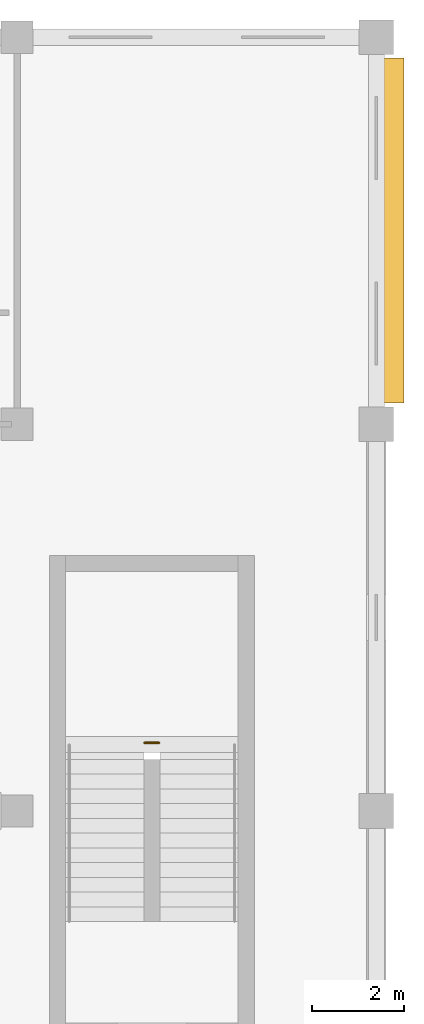
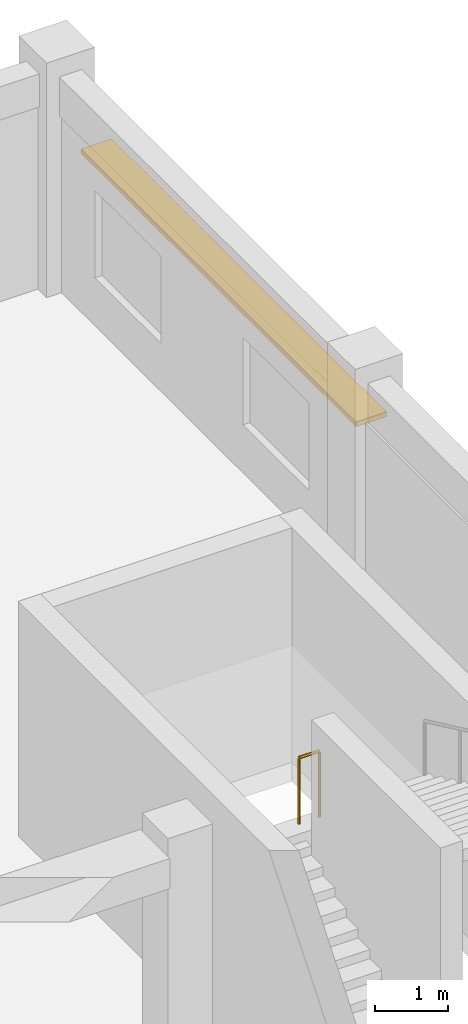
# One storey, part 72 of 72: 1 railing, 1 shading device.
"""IFC4 building model written with IfcOpenShell, lengths in metres."""

from ifc_helpers import new_model, si_unit, direction, frame, origin, origin_2d, place, context, subcontext, project, spatial, rectangle, circle, extrude, material, layer, layer_set, type_object, element, save


model = new_model("IFC4")

# Units and contexts
model_context = context("Model", 3, precision=1e-05, world=origin(), true_north=direction((0.0, 1.0)))
body_context = subcontext(model_context, "Body", "Model", "MODEL_VIEW")
ifc_project = project(units=[si_unit("LENGTHUNIT", "METRE"), si_unit("AREAUNIT", "SQUARE_METRE"), si_unit("VOLUMEUNIT", "CUBIC_METRE"), si_unit("PLANEANGLEUNIT", "RADIAN"), si_unit("MASSUNIT", "GRAM", prefix="KILO"), si_unit("THERMODYNAMICTEMPERATUREUNIT", "KELVIN"), si_unit("POWERUNIT", "WATT")], contexts=[model_context])

# Site, building, storey
site_placement = place(None, origin())
site = spatial("IfcSite", under=ifc_project, at=site_placement, CompositionType="ELEMENT")
building_placement = place(site_placement, origin())
building = spatial("IfcBuilding", under=site, at=building_placement, Name="Srebrne Nadtorze General Hospital", CompositionType="ELEMENT")
storey_placement = place(building_placement, frame((0.0, 0.0, 22.199951171875)))
storey = spatial("IfcBuildingStorey", under=building, at=storey_placement, Name="L05", CompositionType="ELEMENT", Elevation=22.199951171875)

# Shading device
ifc_material_1 = material(Name="Anodised Aluminium", Category="aluminium")
ifc_layer = layer(ifc_material_1, 0.080078125)
ifc_layer_set = layer_set([ifc_layer], Name="Anodised Aluminium")
shading_device_type = type_object("IfcShadingDeviceType", Name="Hisashi horizontal aluminium sunshade", PredefinedType="JALOUSIE", material=ifc_layer_set)
shading_device_placement = place(storey_placement, frame((148.56005859375, 88.199951171875, 2.27001953125), z_axis=(0.0, 0.0, 1.0), x_axis=(1.0, 0.0, 0.0)))
element("IfcShadingDevice", 1, at=shading_device_placement, inside=storey, type_object=shading_device_type, Name="Hisashi horizontal sunshade eave LV-352", PredefinedType="JALOUSIE", context=body_context, shape_type="SweptSolid", body=[
    extrude(rectangle(XDim=0.47998046875, YDim=7.489990234375, at=origin_2d()), origin(), (0.0, 0.0, 1.0), 0.080078125),
])

# Railing
ifc_material_2 = material(Name="Stainless Steel 316", Category="steel")
railing_type = type_object("IfcRailingType", Name="Stairwell safety guard 1120", PredefinedType="BALUSTRADE", material=ifc_material_2)
railing_placement = place(storey_placement, frame((143.1650390625, 77.080078125, 1.949951171875)))
element("IfcRailing", 2, at=railing_placement, inside=storey, type_object=railing_type, Name="Half landing well guard ST-04-L05", PredefinedType="BALUSTRADE", context=body_context, shape_type="SweptSolid", body=[
    extrude(circle(Radius=0.02392578125, at=origin_2d()), frame((0.0, 0.0, 1.09619140625), z_axis=(1.0, 0.0, 0.0), x_axis=(0.0, 1.0, 0.0)), (0.0, 0.0, 1.0), 0.320068359375),
    extrude(circle(Radius=0.02099609375, at=origin_2d()), origin(), (0.0, 0.0, 1.0), 1.072021484375),
    extrude(circle(Radius=0.02099609375, at=origin_2d()), frame((0.320068359375, 0.0, 0.0)), (0.0, 0.0, 1.0), 1.072021484375),
])

save(model, "model.ifc")
